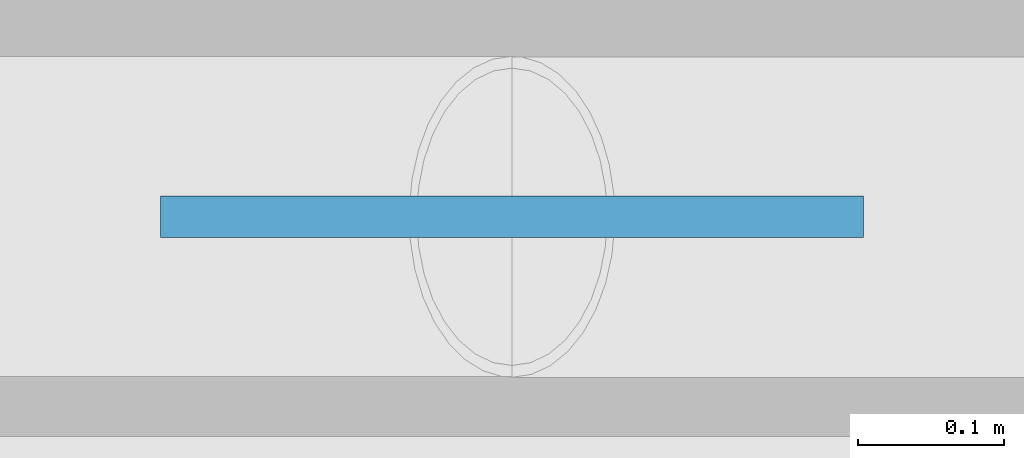
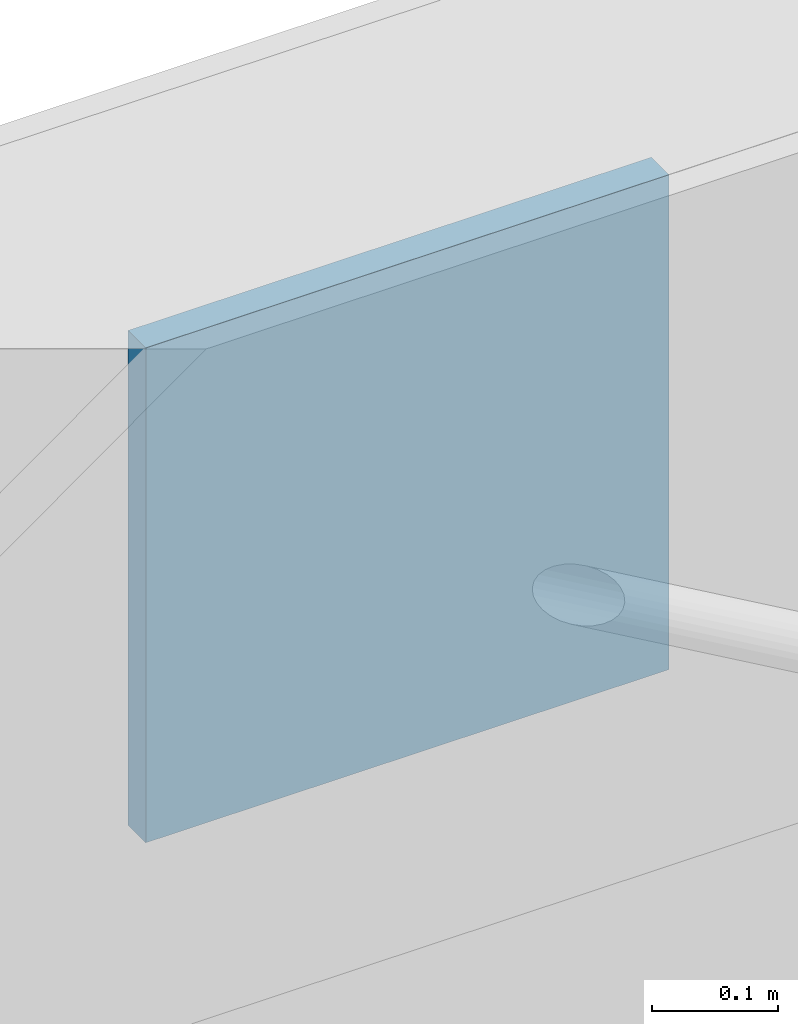
# One storey, part 6 of 17: 1 plate.
"""IFC4 building model written with IfcOpenShell, lengths in metres."""

import ifcopenshell
import ifcopenshell.guid

model = None  # the IFC model being written
_history = None  # IfcOwnerHistory: only IFC2X3 demands one
_inside = {}  # id of a spatial element -> (the spatial element, [elements in it])
_under = {}  # id of a project, library or spatial element -> (it, [spatial elements below it])
_declared = {}  # id of a project -> (the project, [libraries it declares])
_typed = {}  # id of a type object -> (the type object, [elements of that type])
_made_of = {}  # id of a material, layer set ... -> (it, [elements and type objects made of it])


def new_model(schema):
    """Start an empty IFC model of exactly this schema.

    Asked for "IFC4X3", IfcOpenShell would pick the latest addendum, in which some entities
    have other attributes; the version numbers below select the first issue.
    IFC2X3 requires an IfcOwnerHistory on every rooted entity: one is made here for all.
    """
    global model, _history
    if schema == "IFC4X3":
        model = ifcopenshell.file(schema_version=(4, 3, 0, 0))
    else:
        model = ifcopenshell.file(schema=schema)
    _inside.clear()
    _under.clear()
    _declared.clear()
    _typed.clear()
    _made_of.clear()
    _history = None
    if model.schema == "IFC2X3":
        org = make("IfcOrganization", Name="unknown")
        user = make(
            "IfcPersonAndOrganization",
            ThePerson=make("IfcPerson", FamilyName="unknown"),
            TheOrganization=org,
        )
        app = make(
            "IfcApplication",
            ApplicationDeveloper=org,
            Version="unknown",
            ApplicationFullName="unknown",
            ApplicationIdentifier="unknown",
        )
        _history = make(
            "IfcOwnerHistory",
            OwningUser=user,
            OwningApplication=app,
            ChangeAction="ADDED",
            CreationDate=0,
        )
    return model


def make(cls, **values):
    """One entity of the class cls with the attributes given. An attribute that is None is left unset."""
    return model.create_entity(
        cls, **{name: value for name, value in values.items() if value is not None}
    )


def rooted(cls, **values):
    """An entity with a GlobalId (a new one), such as an element, a storey or a relation."""
    return make(cls, GlobalId=ifcopenshell.guid.new(), OwnerHistory=_history, **values)


def si_unit(unit_type, name, prefix=None):
    """IfcSIUnit, for example si_unit("LENGTHUNIT", "METRE", prefix="MILLI")."""
    return make("IfcSIUnit", UnitType=unit_type, Prefix=prefix, Name=name)


def assignment(units):
    """IfcUnitAssignment: the units of a project."""
    return None if units is None else make("IfcUnitAssignment", Units=units)


def point(xyz):
    """IfcCartesianPoint."""
    return None if xyz is None else make("IfcCartesianPoint", Coordinates=xyz)


def direction(xyz):
    """IfcDirection."""
    return None if xyz is None else make("IfcDirection", DirectionRatios=xyz)


def frame(location, z_axis=None, x_axis=None):
    """IfcAxis2Placement3D, a coordinate frame: its origin and axes. An axis left out is left unset."""
    return make(
        "IfcAxis2Placement3D",
        Location=point(location),
        Axis=direction(z_axis),
        RefDirection=direction(x_axis),
    )


def frame_2d(location, x_axis=None):
    """IfcAxis2Placement2D, a coordinate frame in the plane: its origin and x axis."""
    return make(
        "IfcAxis2Placement2D", Location=point(location), RefDirection=direction(x_axis)
    )


def origin():
    """The frame at (0, 0, 0) with its axes left unset."""
    return frame((0.0, 0.0, 0.0))


def origin_2d():
    """The frame at (0, 0) in the plane with its x axis left unset."""
    return frame_2d((0.0, 0.0))


def place(relative_to, where):
    """IfcLocalPlacement: puts the frame where relative to a parent placement (None: the world)."""
    return make(
        "IfcLocalPlacement", PlacementRelTo=relative_to, RelativePlacement=where
    )


def context(
    kind, dimensions, precision=None, world=None, true_north=None, identifier=None
):
    """IfcGeometricRepresentationContext, for example the 3D "Model" context."""
    return make(
        "IfcGeometricRepresentationContext",
        ContextIdentifier=identifier,
        ContextType=kind,
        CoordinateSpaceDimension=dimensions,
        Precision=precision,
        WorldCoordinateSystem=world,
        TrueNorth=true_north,
    )


def subcontext(parent, identifier, kind, view, scale=None):
    """IfcGeometricRepresentationSubContext, for example "Body" below "Model"."""
    return make(
        "IfcGeometricRepresentationSubContext",
        ContextIdentifier=identifier,
        ContextType=kind,
        ParentContext=parent,
        TargetScale=scale,
        TargetView=view,
    )


def project(units=None, contexts=None):
    """IfcProject with its units and contexts."""
    return rooted(
        "IfcProject",
        Name="project",
        RepresentationContexts=contexts,
        UnitsInContext=assignment(units),
    )


def spatial(cls, under=None, at=None, **own):
    """A site, building, storey or space (cls), placed at a placement, below another one or the project."""
    s = rooted(cls, ObjectPlacement=at, **own)
    if under is not None:
        _under.setdefault(under.id(), (under, []))[1].append(s)
    return s


def profile(cls, at=None, kind="AREA", **sizes):
    """A parametric profile (cls). Its sizes go by their IFC names, for example OverallWidth=200.0."""
    return make(cls, ProfileType=kind, Position=at, **sizes)


def rectangle(**sizes):
    """IfcRectangleProfileDef."""
    return profile("IfcRectangleProfileDef", **sizes)


def extrude(swept, where, along, depth):
    """IfcExtrudedAreaSolid: the profile swept, set in the frame where, extruded along a direction by depth."""
    return make(
        "IfcExtrudedAreaSolid",
        SweptArea=swept,
        Position=where,
        ExtrudedDirection=direction(along),
        Depth=depth,
    )


def shape(context_of_items, identifier, shape_type, items):
    """IfcShapeRepresentation: the items that make up one representation, for example the "Body"."""
    return make(
        "IfcShapeRepresentation",
        ContextOfItems=context_of_items,
        RepresentationIdentifier=identifier,
        RepresentationType=shape_type,
        Items=items,
    )


def material(Name=None, Category=None):
    """IfcMaterial."""
    return make("IfcMaterial", Name=Name, Category=Category)


def layer(
    of_material, thickness, ventilated=None, Name=None, Category=None, Priority=None
):
    """IfcMaterialLayer: one layer of a wall or slab, of a material (None: an air gap)."""
    return make(
        "IfcMaterialLayer",
        Material=of_material,
        LayerThickness=thickness,
        IsVentilated=ventilated,
        Name=Name,
        Category=Category,
        Priority=Priority,
    )


def layer_set(layers, Name=None):
    """IfcMaterialLayerSet."""
    return make("IfcMaterialLayerSet", MaterialLayers=layers, LayerSetName=Name)


def made_of(thing, what):
    """Note that an element or type object is made of a material, layer set ...; save() writes the relation."""
    if what is not None:
        _made_of.setdefault(what.id(), (what, []))[1].append(thing)
    return thing


def type_object(cls, material=None, **own):
    """A type object (cls), such as IfcWallType, which elements share."""
    return made_of(rooted(cls, **own), material)


def element(
    cls,
    number,
    at=None,
    inside=None,
    cuts=None,
    type_object=None,
    material=None,
    context=None,
    identifier="Body",
    shape_type=None,
    held_by="IfcProductDefinitionShape",
    body=None,
    shapes=None,
    **own,
):
    """One element of the class cls, such as IfcWall. Its Tag is "e" and its number.

    at: its placement. inside: the storey or other place that contains it. cuts: it is an
    opening in that element (IfcRelVoidsElement). A single representation is given by context,
    identifier, shape_type and body (its items); several are given by shapes. held_by: the class
    of the entity that holds the representations. save() writes the other relations.
    """
    e = rooted(cls, Tag="e%d" % number, ObjectPlacement=at, **own)
    if body is not None:
        shapes = [shape(context, identifier, shape_type, body)]
    if shapes is not None:
        e.Representation = make(held_by, Representations=shapes)
    if inside is not None:
        _inside.setdefault(inside.id(), (inside, []))[1].append(e)
    if cuts is not None:
        rooted(
            "IfcRelVoidsElement", RelatingBuildingElement=cuts, RelatedOpeningElement=e
        )
    if type_object is not None:
        _typed.setdefault(type_object.id(), (type_object, []))[1].append(e)
    return made_of(e, material)


def aggregate(whole, parts):
    """IfcRelAggregates: a whole, such as a stair, and the parts it consists of."""
    return rooted("IfcRelAggregates", RelatingObject=whole, RelatedObjects=parts)


def save(model, path):
    """Write the relations noted so far, then the file.

    IfcRelAggregates (storeys below a building ...), IfcRelContainedInSpatialStructure (elements
    in a storey), IfcRelDefinesByType, IfcRelAssociatesMaterial and IfcRelDeclares: one each for
    every whole, place, type object, material and project.
    """
    for whole, parts in _under.values():
        aggregate(whole, parts)
    for where, things in _inside.values():
        rooted(
            "IfcRelContainedInSpatialStructure",
            RelatedElements=things,
            RelatingStructure=where,
        )
    for kind, things in _typed.values():
        rooted("IfcRelDefinesByType", RelatedObjects=things, RelatingType=kind)
    for what, things in _made_of.values():
        rooted("IfcRelAssociatesMaterial", RelatedObjects=things, RelatingMaterial=what)
    for by, libraries in _declared.values():
        rooted("IfcRelDeclares", RelatingContext=by, RelatedDefinitions=libraries)
    model.write(path)


model = new_model("IFC4")

# Units and contexts
model_context = context("Model", 3, precision=1e-05, world=origin(), true_north=direction((0.0, 1.0)))
body_context = subcontext(model_context, "Body", "Model", "MODEL_VIEW")
ifc_project = project(units=[si_unit("LENGTHUNIT", "METRE"), si_unit("AREAUNIT", "SQUARE_METRE"), si_unit("VOLUMEUNIT", "CUBIC_METRE"), si_unit("PLANEANGLEUNIT", "RADIAN"), si_unit("MASSUNIT", "GRAM", prefix="KILO")], contexts=[model_context])

# Site, building, storey
site_placement = place(None, origin())
site = spatial("IfcSite", under=ifc_project, at=site_placement, CompositionType="ELEMENT")
building_placement = place(site_placement, origin())
building = spatial("IfcBuilding", under=site, at=building_placement, Name="Chengyuan Square Courthouse", CompositionType="ELEMENT")
storey_placement = place(building_placement, frame((0.0, 0.0, 51.89990234375)))
storey = spatial("IfcBuildingStorey", under=building, at=storey_placement, Name="L12", CompositionType="ELEMENT", Elevation=51.89990234375)

# Plate
ifc_material = material(Name="Steel Q355B", Category="steel")
ifc_layer = layer(ifc_material, 0.028076171875)
ifc_layer_set = layer_set([ifc_layer], Name="Steel Q355B")
plate_type = type_object("IfcPlateType", Name="GP-02", PredefinedType="SHEET", material=ifc_layer_set)
plate_placement = place(storey_placement, frame((63.0, 108.0, 3.3701171875), z_axis=(0.0, 0.0, 1.0), x_axis=(1.0, 0.0, 0.0)))
element("IfcPlate", 1, at=plate_placement, inside=storey, type_object=plate_type, Name="Brace Gusset Plate GP-L12-07", PredefinedType="SHEET", context=body_context, shape_type="SweptSolid", body=[
    extrude(rectangle(XDim=0.47998046875, YDim=0.028076171875, at=origin_2d()), origin(), (0.0, 0.0, 1.0), 0.47998046875),
])

save(model, "model.ifc")
